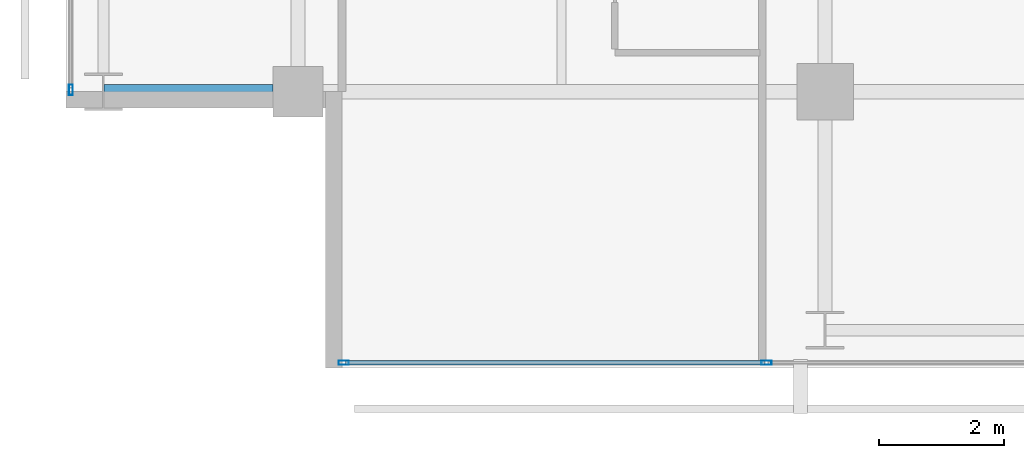
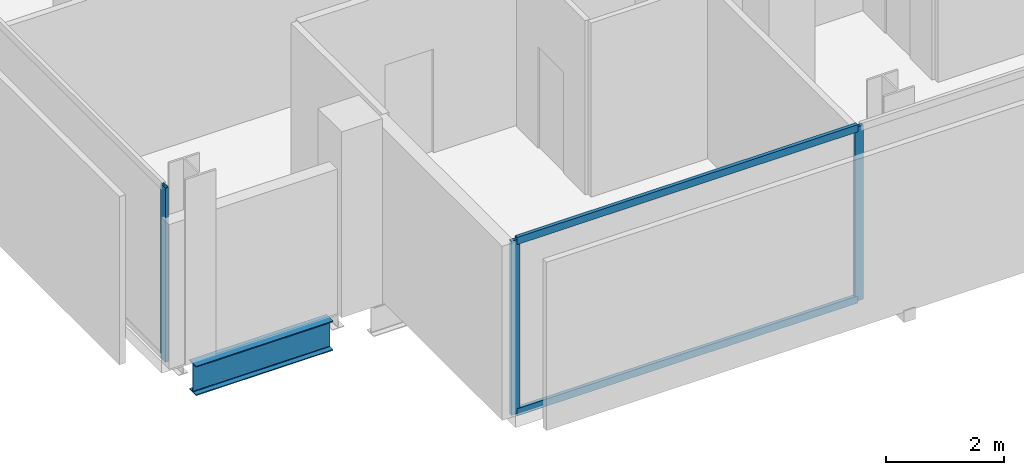
# One storey, part 2 of 33: 5 members, 1 beam, 2 elements without a shape of their own.
"""IFC4 building model written with IfcOpenShell, lengths in metres."""

from ifc_helpers import new_model, si_unit, direction, frame, origin, origin_2d, place, context, subcontext, project, spatial, hollow_rectangle, i_section, extrude, material, layer, layer_set, material_profile, profile_set, type_object, element, aggregate, save


model = new_model("IFC4")

# Units and contexts
model_context = context("Model", 3, precision=1e-05, world=origin(), true_north=direction((0.0, 1.0)))
body_context = subcontext(model_context, "Body", "Model", "MODEL_VIEW")
ifc_project = project(units=[si_unit("LENGTHUNIT", "METRE"), si_unit("AREAUNIT", "SQUARE_METRE"), si_unit("VOLUMEUNIT", "CUBIC_METRE"), si_unit("PLANEANGLEUNIT", "RADIAN"), si_unit("MASSUNIT", "GRAM", prefix="KILO")], contexts=[model_context])

# Site, building, storey
site_placement = place(None, origin())
site = spatial("IfcSite", under=ifc_project, at=site_placement, CompositionType="ELEMENT")
building_placement = place(site_placement, origin())
building = spatial("IfcBuilding", under=site, at=building_placement, Name="Maruvema Waterfront Hotel and Observation Tower", CompositionType="ELEMENT")
storey_placement = place(building_placement, frame((0.0, 0.0, 150.5)))
storey = spatial("IfcBuildingStorey", under=building, at=storey_placement, Name="L36", CompositionType="ELEMENT", Elevation=150.5)

# Curtain wall, members
ifc_material_1 = material(Name="Anodised bronze aluminium and solar-control low-E IGU", Category="aluminium")
ifc_layer = layer(ifc_material_1, 0.159912109375, Name="Zone 2 Amber Inner Thermal Curtain Wall System CW-03")
ifc_layer_set = layer_set([ifc_layer], Name="Anodised bronze aluminium and solar-control low-E IGU")
curtain_wall_type = type_object("IfcCurtainWallType", Name="Zone 2 Amber Inner Thermal Curtain Wall System CW-03", PredefinedType="USERDEFINED", material=ifc_layer_set)
curtain_wall_1_placement = place(storey_placement, origin())
curtain_wall_1 = element("IfcCurtainWall", 1, at=curtain_wall_1_placement, inside=storey, type_object=curtain_wall_type, Name="L36 Curtain Wall CW-L36-S", ObjectType="UNITISED CURTAIN WALL", PredefinedType="USERDEFINED")
ifc_material_2 = material(Name="Anodised architectural bronze aluminium", Category="aluminium")
ifc_material_profile_1 = material_profile(ifc_material_2, hollow_rectangle(XDim=0.070068359375, YDim=0.14990234375, WallThickness=0.00390625, at=origin_2d()), Name="ALU-T70x150")
ifc_profile_set_1 = profile_set([ifc_material_profile_1], Name="Anodised architectural bronze aluminium")
member_type_1 = type_object("IfcMemberType", Name="Curtain Wall Horizontal Transom ALU-T70x150", PredefinedType="USERDEFINED", material=ifc_profile_set_1)
member_1_placement = place(storey_placement, frame((17.56005859375, 4.679931640625, 0.030029296875), z_axis=(1.0, 0.0, 0.0), x_axis=(0.0, 1.0, 0.0)))
member_1 = element("IfcMember", 2, at=member_1_placement, type_object=member_type_1, Name="CW-03 transom 1.1", ObjectType="TRANSOM", PredefinedType="USERDEFINED", context=body_context, shape_type="SweptSolid", body=[
    extrude(hollow_rectangle(XDim=0.070068359375, YDim=0.14990234375, WallThickness=0.00390625, at=origin_2d()), origin(), (0.0, 0.0, 1.0), 6.676513671875),
])
member_2_placement = place(storey_placement, frame((17.56005859375, 4.679931640625, 3.580078125), z_axis=(1.0, 0.0, 0.0), x_axis=(0.0, 1.0, 0.0)))
member_2 = element("IfcMember", 3, at=member_2_placement, type_object=member_type_1, Name="CW-03 transom 1.2", ObjectType="TRANSOM", PredefinedType="USERDEFINED", context=body_context, shape_type="SweptSolid", body=[
    extrude(hollow_rectangle(XDim=0.070068359375, YDim=0.14990234375, WallThickness=0.00390625, at=origin_2d()), origin(), (0.0, 0.0, 1.0), 6.676513671875),
])
ifc_material_3 = material(Name="Anodised architectural bronze aluminium", Category="aluminium")
ifc_material_profile_2 = material_profile(ifc_material_3, hollow_rectangle(XDim=0.06494140625, YDim=0.1650390625, WallThickness=0.00390625, at=origin_2d()), Name="ALU-M65x165")
ifc_profile_set_2 = profile_set([ifc_material_profile_2], Name="Anodised architectural bronze aluminium")
member_type_2 = type_object("IfcMemberType", Name="Curtain Wall Primary Mullion ALU-M65x165", PredefinedType="MULLION", material=ifc_profile_set_2)
member_3_placement = place(storey_placement, frame((17.530029296875, 4.679931640625, 0.0), z_axis=(0.0, 0.0, 1.0), x_axis=(0.0, 1.0, 0.0)))
member_3 = element("IfcMember", 4, at=member_3_placement, type_object=member_type_2, Name="CW-03 mullion 1", PredefinedType="MULLION", context=body_context, shape_type="SweptSolid", body=[
    extrude(hollow_rectangle(XDim=0.06494140625, YDim=0.1650390625, WallThickness=0.00390625, at=origin_2d()), origin(), (0.0, 0.0, 1.0), 3.610107421875),
])
member_4_placement = place(storey_placement, frame((24.2666015625, 4.679931640625, 0.0), z_axis=(0.0, 0.0, 1.0), x_axis=(0.0, 1.0, 0.0)))
member_4 = element("IfcMember", 5, at=member_4_placement, type_object=member_type_2, Name="CW-03 mullion 2", PredefinedType="MULLION", context=body_context, shape_type="SweptSolid", body=[
    extrude(hollow_rectangle(XDim=0.06494140625, YDim=0.1650390625, WallThickness=0.00390625, at=origin_2d()), origin(), (0.0, 0.0, 1.0), 3.610107421875),
])
aggregate(curtain_wall_1, [member_3, member_4, member_1, member_2])

# Curtain wall, member
curtain_wall_2_placement = place(storey_placement, origin())
curtain_wall_2 = element("IfcCurtainWall", 6, at=curtain_wall_2_placement, inside=storey, type_object=curtain_wall_type, Name="L36 Curtain Wall CW-L36-W", ObjectType="UNITISED CURTAIN WALL", PredefinedType="USERDEFINED")
member_5_placement = place(storey_placement, frame((13.179931640625, 9.030029296875, 0.0), z_axis=(0.0, 0.0, 1.0), x_axis=(1.0, 0.0, 0.0)))
member_5 = element("IfcMember", 7, at=member_5_placement, type_object=member_type_2, Name="CW-03 mullion 7", PredefinedType="MULLION", context=body_context, shape_type="SweptSolid", body=[
    extrude(hollow_rectangle(XDim=0.06494140625, YDim=0.1650390625, WallThickness=0.00390625, at=origin_2d()), origin(), (0.0, 0.0, 1.0), 3.610107421875),
])
aggregate(curtain_wall_2, [member_5])

# Beam
ifc_material_4 = material(Name="Steel ASTM A572 Grade 50", Category="steel")
ifc_material_profile_3 = material_profile(ifc_material_4, i_section(OverallWidth=0.22900390625, OverallDepth=0.612060546875, WebThickness=0.011962890625, FlangeThickness=0.01953125, FilletRadius=0.01806640625, at=origin_2d()), Name="W610x125.0")
ifc_profile_set_3 = profile_set([ifc_material_profile_3], Name="Steel ASTM A572 Grade 50")
beam_type = type_object("IfcBeamType", Name="Primary Floor Girder W610x125.0", PredefinedType="BEAM", material=ifc_profile_set_3)
beam_placement = place(storey_placement, frame((13.71240234375, 9.0, -0.5458984375), z_axis=(1.0, 0.0, 0.0), x_axis=(0.0, 1.0, 0.0)))
element("IfcBeam", 8, at=beam_placement, inside=storey, type_object=beam_type, Name="L36 Floor Girder EW-04", PredefinedType="BEAM", context=body_context, shape_type="SweptSolid", body=[
    extrude(i_section(OverallWidth=0.22900390625, OverallDepth=0.612060546875, WebThickness=0.011962890625, FlangeThickness=0.01953125, FilletRadius=0.01806640625, at=origin_2d()), origin(), (0.0, 0.0, 1.0), 2.6875),
])

save(model, "model.ifc")
